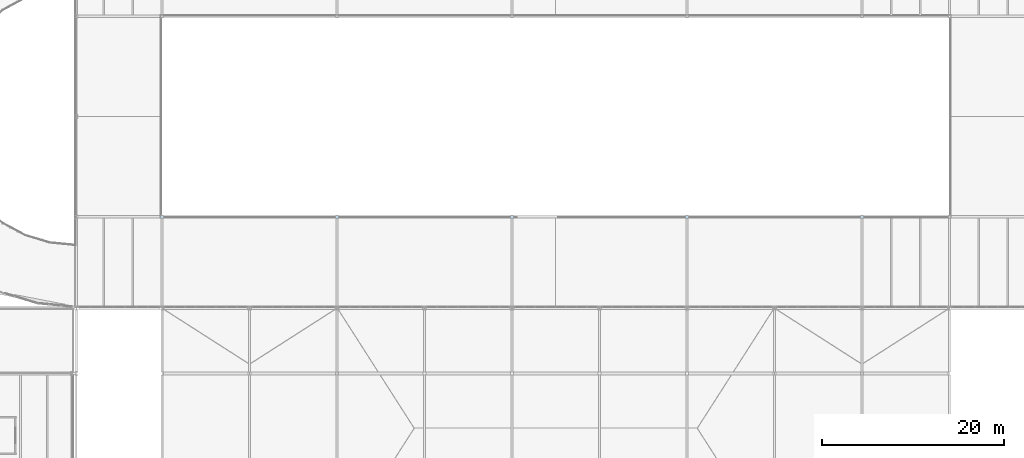
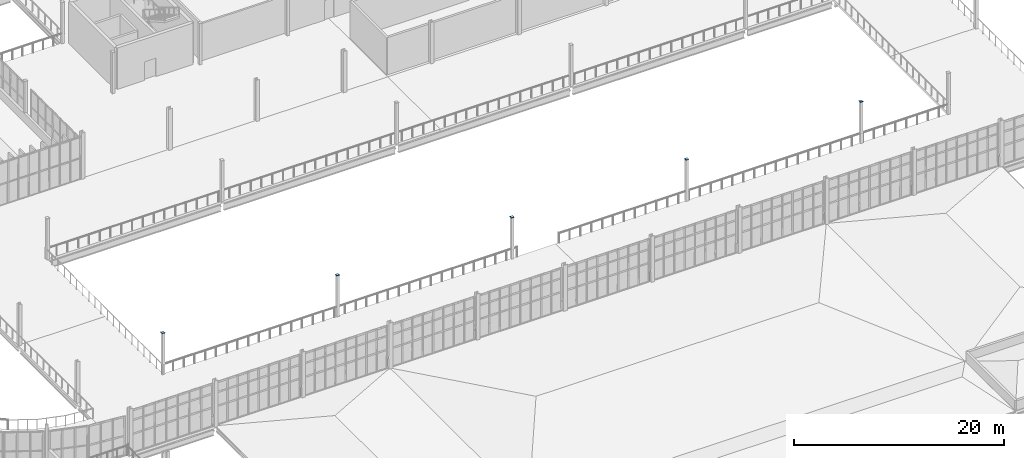
# One storey, part 87 of 112: 5 plates.
"""IFC4 building model written with IfcOpenShell, lengths in metres."""

from ifc_helpers import new_model, si_unit, direction, frame, origin, origin_2d, place, context, subcontext, project, spatial, rectangle, extrude, material, layer, layer_set, type_object, element, save


model = new_model("IFC4")

# Units and contexts
model_context = context("Model", 3, precision=1e-05, world=origin(), true_north=direction((0.0, 1.0)))
body_context = subcontext(model_context, "Body", "Model", "MODEL_VIEW")
ifc_project = project(units=[si_unit("LENGTHUNIT", "METRE"), si_unit("AREAUNIT", "SQUARE_METRE"), si_unit("VOLUMEUNIT", "CUBIC_METRE"), si_unit("PLANEANGLEUNIT", "RADIAN"), si_unit("MASSUNIT", "GRAM", prefix="KILO")], contexts=[model_context])

# Site, building, storey
site_placement = place(None, origin())
site = spatial("IfcSite", under=ifc_project, at=site_placement, CompositionType="ELEMENT")
building_placement = place(site_placement, origin())
building = spatial("IfcBuilding", under=site, at=building_placement, Name="Yeouljin Market Hall", CompositionType="ELEMENT")
storey_placement = place(building_placement, frame((0.0, 0.0, 6.0)))
storey = spatial("IfcBuildingStorey", under=building, at=storey_placement, Name="L01", CompositionType="ELEMENT", Elevation=6.0)

# Plates
ifc_material = material(Name="Steel SM355", Category="steel")
ifc_layer = layer(ifc_material, 0.02001953125)
ifc_layer_set = layer_set([ifc_layer], Name="Steel SM355")
plate_type = type_object("IfcPlateType", Name="CapPlate_320x320x20", PredefinedType="SHEET", material=ifc_layer_set)
for number, where, z_axis, x_axis, name in (
    (1, (45.0, 46.0, 4.800048828125), (0.0, 0.0, 1.0), (1.0, 0.0, 0.0), "Hollow column top cap plate G-06-05 (L01)"),
    (2, (64.199951171875, 46.0, 4.800048828125), (0.0, 0.0, 1.0), (1.0, 0.0, 0.0), "Hollow column top cap plate G-08-05 (L01)"),
    (3, (83.39990234375, 46.0, 4.800048828125), (0.0, 0.0, 1.0), (1.0, 0.0, 0.0), "Hollow column top cap plate G-10-05 (L01)"),
    (4, (102.60009765625, 46.0, 4.800048828125), (0.0, 0.0, 1.0), (1.0, 0.0, 0.0), "Hollow column top cap plate G-12-05 (L01)"),
    (5, (121.800048828125, 46.0, 4.800048828125), (0.0, 0.0, 1.0), (1.0, 0.0, 0.0), "Hollow column top cap plate G-14-05 (L01)"),
):
    element("IfcPlate", number, at=place(storey_placement, frame(where, z_axis=z_axis, x_axis=x_axis)), inside=storey, type_object=plate_type, Name=name, PredefinedType="SHEET", context=body_context, shape_type="SweptSolid", body=[
        extrude(rectangle(XDim=0.320068359375, YDim=0.320068359375, at=origin_2d()), origin(), (0.0, 0.0, 1.0), 0.02001953125),
    ])

save(model, "model.ifc")
